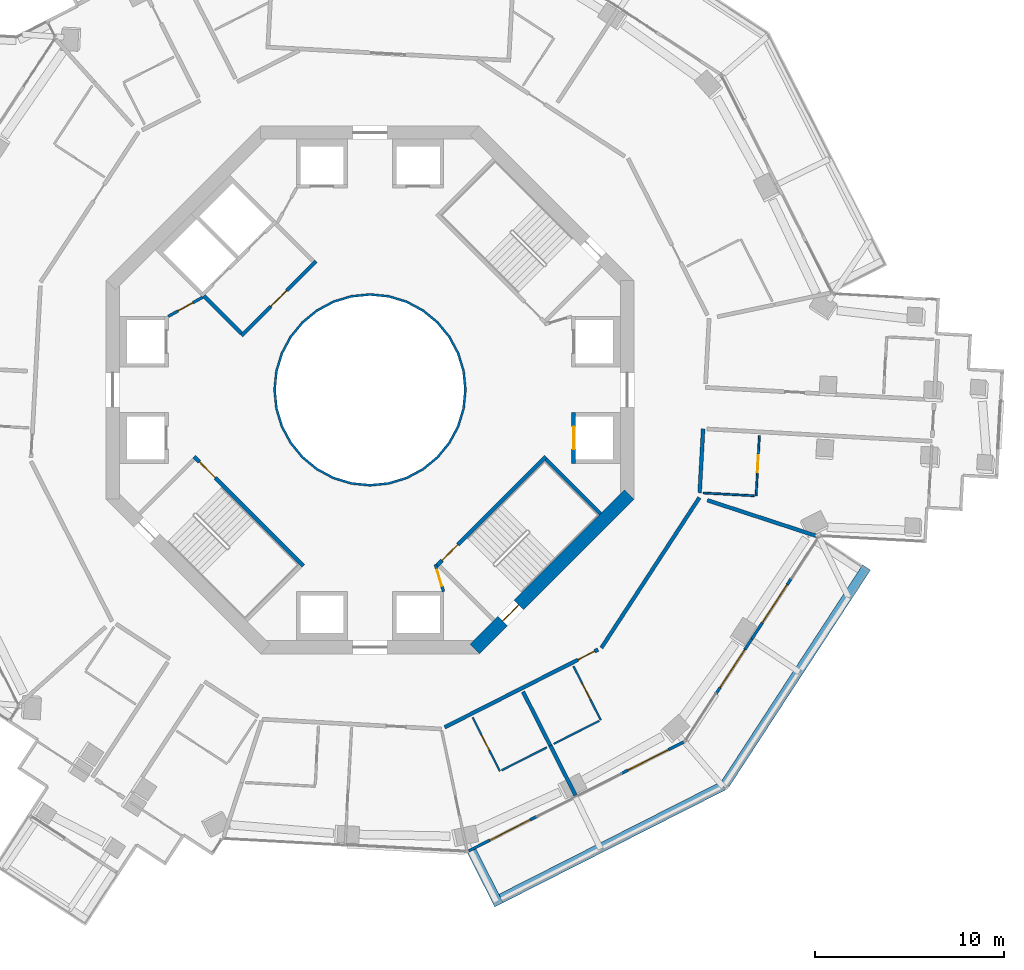
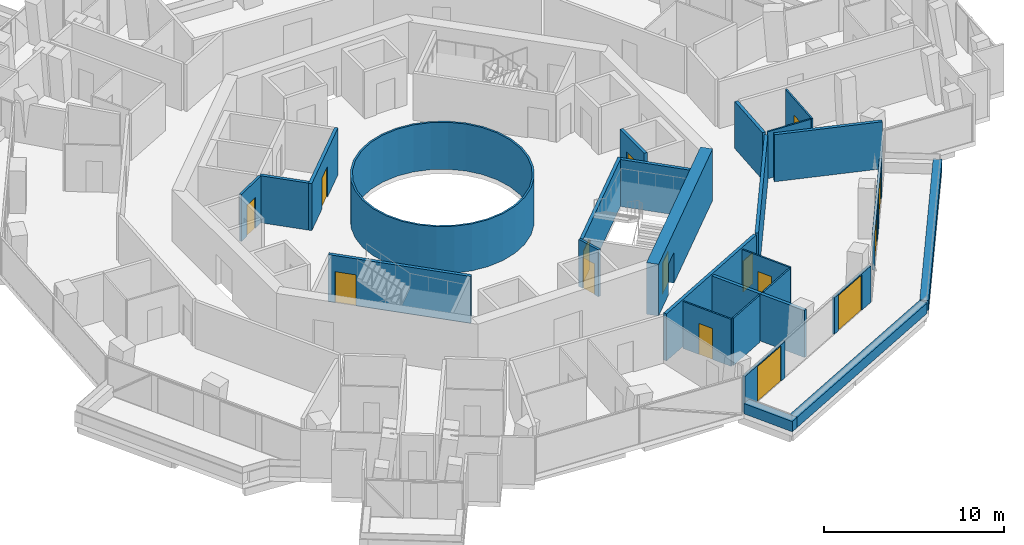
# One storey, part 17 of 23: 29 walls, 15 doors, 15 openings.
"""IFC4 building model written with IfcOpenShell, lengths in metres."""

from ifc_helpers import new_model, si_unit, direction, frame, frame_2d, origin, place, context, subcontext, project, spatial, polyline, rectangle, outline, extrude, material, layer, layer_set, type_object, element, fill, save


model = new_model("IFC4")

# Units and contexts
model_context = context("Model", 3, precision=1e-05, world=origin(), true_north=direction((0.0, 1.0)))
body_context = subcontext(model_context, "Body", "Model", "MODEL_VIEW")
ifc_project = project(units=[si_unit("LENGTHUNIT", "METRE"), si_unit("AREAUNIT", "SQUARE_METRE"), si_unit("VOLUMEUNIT", "CUBIC_METRE"), si_unit("PLANEANGLEUNIT", "RADIAN"), si_unit("MASSUNIT", "GRAM", prefix="KILO")], contexts=[model_context])

# Site, building, storey
site_placement = place(None, origin())
site = spatial("IfcSite", under=ifc_project, at=site_placement, CompositionType="ELEMENT")
building_placement = place(site_placement, origin())
building = spatial("IfcBuilding", under=site, at=building_placement, Name="Verdalira Terraces Hotel", CompositionType="ELEMENT")
storey_placement = place(building_placement, frame((0.0, 0.0, 143.5)))
storey = spatial("IfcBuildingStorey", under=building, at=storey_placement, Name="L34", CompositionType="ELEMENT", Elevation=143.5)

# Walls
ifc_material_1 = material(Name="Fire-resisting glass EI 180", Category="glass")
ifc_layer_1 = layer(ifc_material_1, 0.1201171875)
ifc_layer_set_1 = layer_set([ifc_layer_1], Name="Atrium fire screen 120 mm")
wall_type_1 = type_object("IfcWallType", Name="Atrium fire screen 120 mm", PredefinedType="SOLIDWALL", material=ifc_layer_set_1)
wall_1_placement = place(storey_placement, origin())
element("IfcWall", 1, at=wall_1_placement, inside=storey, type_object=wall_type_1, Name="Atrium fire screen", PredefinedType="SOLIDWALL", context=body_context, shape_type="SweptSolid", body=[
    extrude(outline(polyline([(5.021484, -0.998779), (4.730225, -1.959229), (4.25708, -2.844482), (3.620361, -3.620361), (2.844482, -4.25708), (1.959229, -4.730225), (0.998779, -5.021484), (0.0, -5.120117), (-0.998779, -5.021484), (-1.959229, -4.730225), (-2.844482, -4.25708), (-3.620361, -3.620361), (-4.25708, -2.844482), (-4.730225, -1.959229), (-5.021484, -0.998779), (-5.120117, 0.0), (-5.021484, 0.998779), (-4.730225, 1.959229), (-4.25708, 2.844482), (-3.620361, 3.620361), (-2.844482, 4.25708), (-1.959229, 4.730225), (-0.998779, 5.021484), (0.0, 5.120117), (0.998779, 5.021484), (1.959229, 4.730225), (2.844482, 4.25708), (3.620361, 3.620361), (4.25708, 2.844482), (4.730225, 1.959229), (5.021484, 0.998779), (5.120117, 0.0), (5.021484, -0.998779)]), holes=[polyline([(4.903809, 0.975586), (4.619385, 1.91333), (4.157227, 2.777832), (3.5354, 3.5354), (2.777832, 4.157227), (1.91333, 4.619385), (0.975586, 4.903809), (0.0, 5.0), (-0.975586, 4.903809), (-1.91333, 4.619385), (-2.777832, 4.157227), (-3.5354, 3.5354), (-4.157227, 2.777832), (-4.619385, 1.91333), (-4.903809, 0.975586), (-5.0, 0.0), (-4.903809, -0.975586), (-4.619385, -1.91333), (-4.157227, -2.777832), (-3.5354, -3.5354), (-2.777832, -4.157227), (-1.91333, -4.619385), (-0.975586, -4.903809), (0.0, -5.0), (0.975586, -4.903809), (1.91333, -4.619385), (2.777832, -4.157227), (3.5354, -3.5354), (4.157227, -2.777832), (4.619385, -1.91333), (4.903809, -0.975586), (5.0, 0.0), (4.903809, 0.975586)])]), origin(), (0.0, 0.0, 1.0), 3.189941),
])
ifc_material_2 = material(Name="Concrete C40", Category="concrete")
ifc_layer_2 = layer(ifc_material_2, 0.5)
ifc_layer_set_2 = layer_set([ifc_layer_2], Name="Balcony planter trough with tree")
wall_type_2 = type_object("IfcWallType", Name="Balcony planter trough with tree", PredefinedType="SOLIDWALL", material=ifc_layer_set_2)
wall_2_placement = place(storey_placement, frame((5.393555, -24.464111, 0.0), z_axis=(0.0, 0.0, 1.0), x_axis=(0.452121875, -0.89195617, 0.0)))
element("IfcWall", 2, at=wall_2_placement, inside=storey, type_object=wall_type_2, Name="Balcony planter", PredefinedType="SOLIDWALL", context=body_context, shape_type="SweptSolid", body=[
    extrude(rectangle(XDim=3.198975, YDim=0.5, at=frame_2d((1.599609, 0.0))), origin(), (0.0, 0.0, 1.0), 0.699951),
])
wall_3_placement = place(storey_placement, frame((6.949707, -26.981445, 0.0), z_axis=(0.0, 0.0, 1.0), x_axis=(0.891954479, 0.452125212, 0.0)))
element("IfcWall", 3, at=wall_3_placement, inside=storey, type_object=wall_type_2, Name="Balcony planter", PredefinedType="SOLIDWALL", context=body_context, shape_type="SweptSolid", body=[
    extrude(rectangle(XDim=13.223633, YDim=0.5, at=frame_2d((6.611816, 0.0))), origin(), (0.0, 0.0, 1.0), 0.699951),
])
wall_4_placement = place(storey_placement, frame((18.84082, -20.91626, 0.0), z_axis=(0.0, 0.0, 1.0), x_axis=(0.546404526, 0.837521399, 0.0)))
element("IfcWall", 4, at=wall_4_placement, inside=storey, type_object=wall_type_2, Name="Balcony planter", PredefinedType="SOLIDWALL", context=body_context, shape_type="SweptSolid", body=[
    extrude(rectangle(XDim=13.723389, YDim=0.5, at=frame_2d((6.861816, 0.0))), origin(), (0.0, 0.0, 1.0), 0.699951),
])

# Wall, opening, door
ifc_material_3 = material(Name="Moisture-resistant gypsum board partition")
ifc_layer_3 = layer(ifc_material_3, 0.10009765625)
ifc_layer_set_3 = layer_set([ifc_layer_3], Name="Bathroom partition 100 mm")
wall_type_3 = type_object("IfcWallType", Name="Bathroom partition 100 mm", PredefinedType="PARTITIONING", material=ifc_layer_set_3)
wall_5_placement = place(storey_placement, frame((5.443604, -17.374512, 0.0), z_axis=(0.0, 0.0, 1.0), x_axis=(0.452120203, -0.891957018, 0.0)))
wall_5 = element("IfcWall", 5, at=wall_5_placement, inside=storey, type_object=wall_type_3, Name="Bathroom partition", PredefinedType="PARTITIONING", context=body_context, shape_type="SweptSolid", body=[
    extrude(rectangle(XDim=3.199951, YDim=0.100098, at=frame_2d((1.600098, 0.0))), origin(), (0.0, 0.0, 1.0), 3.189941),
])
opening_1_placement = place(wall_5_placement, frame((1.050049, 0.0, 0.0)))
opening_1 = element("IfcOpeningElement", 6, at=opening_1_placement, cuts=wall_5, Name="Opening L34-119", PredefinedType="OPENING", context=body_context, shape_type="SweptSolid", body=[
    extrude(rectangle(XDim=0.899902, YDim=2.100098, at=frame_2d((0.449951, 1.050049))), frame((0.0, 0.060059, 0.0), z_axis=(0.0, -1.0, 0.0), x_axis=(1.0, 0.0, 0.0)), (0.0, 0.0, 1.0), 0.120117),
])
ifc_material_4 = material(Name="Timber door", Category="wood")
door_type_1 = type_object("IfcDoorType", Name="Bathroom door 900 x 2100", OperationType="NOTDEFINED", PredefinedType="DOOR", material=ifc_material_4)
door_1_placement = place(opening_1_placement, origin())
door_1 = element("IfcDoor", 7, at=door_1_placement, inside=storey, type_object=door_type_1, Name="Bathroom door 3406", OperationType="SINGLE_SWING_RIGHT", OverallHeight=2.10009765625, OverallWidth=0.89990234375, PredefinedType="DOOR", context=body_context, shape_type="SweptSolid", body=[
    extrude(rectangle(XDim=0.899902, YDim=2.100098, at=frame_2d((0.449951, 1.050049))), frame((0.0, 0.024902, 0.0), z_axis=(0.0, -1.0, 0.0), x_axis=(1.0, 0.0, 0.0)), (0.0, 0.0, 1.0), 0.050049),
])
fill(opening_1, door_1)

# Walls
for number, where, z_axis, x_axis, name in (
    (8, (6.979492, -20.18335, 0.0), (0.0, 0.0, 1.0), (0.891954099, 0.452125962, 0.0), "Bathroom partition"),
    (9, (12.152832, -17.561035, 0.0), (0.0, 0.0, 1.0), (-0.891917631, -0.452197899, 0.0), "Bathroom partition"),
):
    element("IfcWall", number, at=place(storey_placement, frame(where, z_axis=z_axis, x_axis=x_axis)), inside=storey, type_object=wall_type_3, Name=name, PredefinedType="PARTITIONING", context=body_context, shape_type="SweptSolid", body=[
        extrude(rectangle(XDim=2.699951, YDim=0.100098, at=frame_2d((1.350098, 0.0))), origin(), (0.0, 0.0, 1.0), 3.189941),
    ])

# Wall, opening, door
wall_6_placement = place(storey_placement, frame((12.241943, -17.515869, 0.0), z_axis=(0.0, 0.0, 1.0), x_axis=(-0.452120203, 0.891957018, 0.0)))
wall_6 = element("IfcWall", 10, at=wall_6_placement, inside=storey, type_object=wall_type_3, Name="Bathroom partition", PredefinedType="PARTITIONING", context=body_context, shape_type="SweptSolid", body=[
    extrude(rectangle(XDim=3.199951, YDim=0.100098, at=frame_2d((1.600098, 0.0))), origin(), (0.0, 0.0, 1.0), 3.189941),
])
opening_2_placement = place(wall_6_placement, frame((1.25, 0.0, 0.0)))
opening_2 = element("IfcOpeningElement", 11, at=opening_2_placement, cuts=wall_6, Name="Opening L34-121", PredefinedType="OPENING", context=body_context, shape_type="SweptSolid", body=[
    extrude(rectangle(XDim=0.899902, YDim=2.100098, at=frame_2d((0.449951, 1.050049))), frame((0.0, 0.060059, 0.0), z_axis=(0.0, -1.0, 0.0), x_axis=(1.0, 0.0, 0.0)), (0.0, 0.0, 1.0), 0.120117),
])
door_2_placement = place(opening_2_placement, origin())
door_2 = element("IfcDoor", 12, at=door_2_placement, inside=storey, type_object=door_type_1, Name="Bathroom door 3407", OperationType="SINGLE_SWING_LEFT", OverallHeight=2.10009765625, OverallWidth=0.89990234375, PredefinedType="DOOR", context=body_context, shape_type="SweptSolid", body=[
    extrude(rectangle(XDim=0.899902, YDim=2.100098, at=frame_2d((0.449951, 1.050049))), frame((0.0, 0.024902, 0.0), z_axis=(0.0, -1.0, 0.0), x_axis=(1.0, 0.0, 0.0)), (0.0, 0.0, 1.0), 0.050049),
])
fill(opening_2, door_2)

# Wall
wall_7_placement = place(storey_placement, frame((17.686768, -5.470703, 0.0), z_axis=(0.0, 0.0, 1.0), x_axis=(0.998517406, -0.054433349, 0.0)))
element("IfcWall", 13, at=wall_7_placement, inside=storey, type_object=wall_type_3, Name="Bathroom partition", PredefinedType="PARTITIONING", context=body_context, shape_type="SweptSolid", body=[
    extrude(rectangle(XDim=2.699951, YDim=0.100098, at=frame_2d((1.350098, 0.0))), origin(), (0.0, 0.0, 1.0), 3.189941),
])

# Wall, opening, door
wall_8_placement = place(storey_placement, frame((20.482666, -5.623291, 0.0), z_axis=(0.0, 0.0, 1.0), x_axis=(0.054396725, 0.998519402, 0.0)))
wall_8 = element("IfcWall", 14, at=wall_8_placement, inside=storey, type_object=wall_type_3, Name="Bathroom partition", PredefinedType="PARTITIONING", context=body_context, shape_type="SweptSolid", body=[
    extrude(rectangle(XDim=3.199951, YDim=0.100098, at=frame_2d((1.600098, 0.0))), origin(), (0.0, 0.0, 1.0), 3.189941),
])
opening_3_placement = place(wall_8_placement, frame((1.25, 0.0, 0.0)))
opening_3 = element("IfcOpeningElement", 15, at=opening_3_placement, cuts=wall_8, Name="Opening L34-124", PredefinedType="OPENING", context=body_context, shape_type="SweptSolid", body=[
    extrude(rectangle(XDim=0.899902, YDim=2.100098, at=frame_2d((0.449951, 1.050049))), frame((0.0, 0.060059, 0.0), z_axis=(0.0, -1.0, 0.0), x_axis=(1.0, 0.0, 0.0)), (0.0, 0.0, 1.0), 0.120117),
])
door_3_placement = place(opening_3_placement, origin())
door_3 = element("IfcDoor", 16, at=door_3_placement, inside=storey, type_object=door_type_1, Name="Bathroom door 3408", OperationType="SINGLE_SWING_LEFT", OverallHeight=2.10009765625, OverallWidth=0.89990234375, PredefinedType="DOOR", context=body_context, shape_type="SweptSolid", body=[
    extrude(rectangle(XDim=0.899902, YDim=2.100098, at=frame_2d((0.449951, 1.050049))), frame((0.0, 0.024902, 0.0), z_axis=(0.0, -1.0, 0.0), x_axis=(1.0, 0.0, 0.0)), (0.0, 0.0, 1.0), 0.050049),
])
fill(opening_3, door_3)

ifc_material_5 = material(Name="Concrete C50", Category="concrete")
ifc_layer_4 = layer(ifc_material_5, 0.199951171875)
ifc_layer_set_4 = layer_set([ifc_layer_4], Name="Core RC wall 200 C50")
wall_type_4 = type_object("IfcWallType", Name="Core RC wall 200 C50", PredefinedType="SOLIDWALL", material=ifc_layer_set_4)
wall_9_placement = place(storey_placement, frame((10.800049, -1.199951, 0.0), z_axis=(0.0, 0.0, 1.0), x_axis=(0.0, -1.0, 0.0)))
wall_9 = element("IfcWall", 17, at=wall_9_placement, inside=storey, type_object=wall_type_4, Name="L34 shaft front wall E1", PredefinedType="SOLIDWALL", context=body_context, shape_type="SweptSolid", body=[
    extrude(rectangle(XDim=2.699951, YDim=0.199951, at=frame_2d((1.350098, 0.0))), origin(), (0.0, 0.0, 1.0), 3.189941),
])
opening_4_placement = place(wall_9_placement, frame((0.75, 0.0, 0.0)))
opening_4 = element("IfcOpeningElement", 18, at=opening_4_placement, cuts=wall_9, Name="Opening LD-L34-801", PredefinedType="OPENING", context=body_context, shape_type="SweptSolid", body=[
    extrude(rectangle(XDim=1.199951, YDim=2.100098, at=frame_2d((0.600098, 1.050049))), frame((0.0, 0.109863, 0.0), z_axis=(0.0, -1.0, 0.0), x_axis=(1.0, 0.0, 0.0)), (0.0, 0.0, 1.0), 0.219971),
])
ifc_material_6 = material(Name="Stainless steel", Category="steel")
door_type_2 = type_object("IfcDoorType", Name="Landing door 1200 x 2100", OperationType="NOTDEFINED", PredefinedType="DOOR", material=ifc_material_6)
door_4_placement = place(opening_4_placement, origin())
door_4 = element("IfcDoor", 19, at=door_4_placement, inside=storey, type_object=door_type_2, Name="Lift landing door LR1 L34", OperationType="DOUBLE_DOOR_SLIDING", OverallHeight=2.10009765625, OverallWidth=1.199951171875, PredefinedType="DOOR", context=body_context, shape_type="SweptSolid", body=[
    extrude(rectangle(XDim=1.199951, YDim=2.100098, at=frame_2d((0.600098, 1.050049))), frame((0.0, 0.024902, 0.0), z_axis=(0.0, -1.0, 0.0), x_axis=(1.0, 0.0, 0.0)), (0.0, 0.0, 1.0), 0.050049),
])
fill(opening_4, door_4)

wall_10_placement = place(storey_placement, frame((-3.5354, -9.33374, 0.0), z_axis=(0.0, 0.0, 1.0), x_axis=(-0.707106781, 0.707106781, 0.0)))
wall_10 = element("IfcWall", 20, at=wall_10_placement, inside=storey, type_object=wall_type_4, Name="L34 stair ST2 front wall", PredefinedType="SOLIDWALL", context=body_context, shape_type="SweptSolid", body=[
    extrude(rectangle(XDim=8.200195, YDim=0.199951, at=frame_2d((4.100098, 0.0))), origin(), (0.0, 0.0, 1.0), 3.189941),
])
opening_5_placement = place(wall_10_placement, frame((6.600098, 0.0, 0.0)))
opening_5 = element("IfcOpeningElement", 21, at=opening_5_placement, cuts=wall_10, Name="Opening L34-810", PredefinedType="OPENING", context=body_context, shape_type="SweptSolid", body=[
    extrude(rectangle(XDim=1.199951, YDim=2.100098, at=frame_2d((0.600098, 1.050049))), frame((0.0, 0.109863, 0.0), z_axis=(0.0, -1.0, 0.0), x_axis=(1.0, 0.0, 0.0)), (0.0, 0.0, 1.0), 0.219971),
])
ifc_material_7 = material(Name="Steel fire door", Category="steel")
door_type_3 = type_object("IfcDoorType", Name="Stair door 1200 x 2100", OperationType="NOTDEFINED", PredefinedType="DOOR", material=ifc_material_7)
door_5_placement = place(opening_5_placement, origin())
door_5 = element("IfcDoor", 22, at=door_5_placement, inside=storey, type_object=door_type_3, Name="Stair door ST2 L34", OperationType="SINGLE_SWING_RIGHT", OverallHeight=2.10009765625, OverallWidth=1.199951171875, PredefinedType="DOOR", context=body_context, shape_type="SweptSolid", body=[
    extrude(rectangle(XDim=1.199951, YDim=2.100098, at=frame_2d((0.600098, 1.050049))), frame((0.0, 0.024902, 0.0), z_axis=(0.0, -1.0, 0.0), x_axis=(1.0, 0.0, 0.0)), (0.0, 0.0, 1.0), 0.050049),
])
fill(opening_5, door_5)

wall_11_placement = place(storey_placement, frame((9.33374, -3.5354, 0.0), z_axis=(0.0, 0.0, 1.0), x_axis=(-0.707106781, -0.707106781, 0.0)))
wall_11 = element("IfcWall", 23, at=wall_11_placement, inside=storey, type_object=wall_type_4, Name="L34 stair ST3 front wall", PredefinedType="SOLIDWALL", context=body_context, shape_type="SweptSolid", body=[
    extrude(rectangle(XDim=8.200195, YDim=0.199951, at=frame_2d((4.100098, 0.0))), origin(), (0.0, 0.0, 1.0), 3.189941),
])
opening_6_placement = place(wall_11_placement, frame((6.600098, 0.0, 0.0)))
opening_6 = element("IfcOpeningElement", 24, at=opening_6_placement, cuts=wall_11, Name="Opening L34-811", PredefinedType="OPENING", context=body_context, shape_type="SweptSolid", body=[
    extrude(rectangle(XDim=1.199951, YDim=2.100098, at=frame_2d((0.600098, 1.050049))), frame((0.0, 0.109863, 0.0), z_axis=(0.0, -1.0, 0.0), x_axis=(1.0, 0.0, 0.0)), (0.0, 0.0, 1.0), 0.219971),
])
door_6_placement = place(opening_6_placement, origin())
door_6 = element("IfcDoor", 25, at=door_6_placement, inside=storey, type_object=door_type_3, Name="Stair door ST3 L34", OperationType="SINGLE_SWING_RIGHT", OverallHeight=2.10009765625, OverallWidth=1.199951171875, PredefinedType="DOOR", context=body_context, shape_type="SweptSolid", body=[
    extrude(rectangle(XDim=1.199951, YDim=2.100098, at=frame_2d((0.600098, 1.050049))), frame((0.0, 0.024902, 0.0), z_axis=(0.0, -1.0, 0.0), x_axis=(1.0, 0.0, 0.0)), (0.0, 0.0, 1.0), 0.050049),
])
fill(opening_6, door_6)

# Wall
wall_12_placement = place(storey_placement, frame((9.33374, -3.677002, 0.0), z_axis=(0.0, 0.0, 1.0), x_axis=(0.707106781, -0.707106781, 0.0)))
element("IfcWall", 26, at=wall_12_placement, inside=storey, type_object=wall_type_4, Name="L34 stair ST3 end wall 2", PredefinedType="SOLIDWALL", context=body_context, shape_type="SweptSolid", body=[
    extrude(rectangle(XDim=4.100098, YDim=0.199951, at=frame_2d((2.050049, 0.0))), origin(), (0.0, 0.0, 1.0), 3.189941),
])

# Wall, opening, door
wall_13_placement = place(storey_placement, frame((-2.86377, 6.823486, 0.0), z_axis=(0.0, 0.0, 1.0), x_axis=(-0.707106781, -0.707106781, 0.0)))
wall_13 = element("IfcWall", 27, at=wall_13_placement, inside=storey, type_object=wall_type_4, Name="L34 fire lobby wall", PredefinedType="SOLIDWALL", context=body_context, shape_type="SweptSolid", body=[
    extrude(rectangle(XDim=5.599854, YDim=0.199951, at=frame_2d((2.799805, 0.0))), origin(), (0.0, 0.0, 1.0), 3.189941),
])
opening_7_placement = place(wall_13_placement, frame((2.199951, 0.0, 0.0)))
opening_7 = element("IfcOpeningElement", 28, at=opening_7_placement, cuts=wall_13, Name="Opening L34-819", PredefinedType="OPENING", context=body_context, shape_type="SweptSolid", body=[
    extrude(rectangle(XDim=1.199951, YDim=2.100098, at=frame_2d((0.600098, 1.050049))), frame((0.0, 0.109863, 0.0), z_axis=(0.0, -1.0, 0.0), x_axis=(1.0, 0.0, 0.0)), (0.0, 0.0, 1.0), 0.219971),
])
ifc_material_8 = material(Name="Steel fire door", Category="steel")
door_type_4 = type_object("IfcDoorType", Name="Lobby door 1200 x 2100", OperationType="NOTDEFINED", PredefinedType="DOOR", material=ifc_material_8)
door_7_placement = place(opening_7_placement, origin())
door_7 = element("IfcDoor", 29, at=door_7_placement, inside=storey, type_object=door_type_4, Name="Fire lobby door L34", OperationType="SINGLE_SWING_LEFT", OverallHeight=2.10009765625, OverallWidth=1.199951171875, PredefinedType="DOOR", context=body_context, shape_type="SweptSolid", body=[
    extrude(rectangle(XDim=1.199951, YDim=2.100098, at=frame_2d((0.600098, 1.050049))), frame((0.0, 0.024902, 0.0), z_axis=(0.0, -1.0, 0.0), x_axis=(1.0, 0.0, 0.0)), (0.0, 0.0, 1.0), 0.050049),
])
fill(opening_7, door_7)

# Wall
wall_14_placement = place(storey_placement, frame((-6.823486, 3.005127, 0.0), z_axis=(0.0, 0.0, 1.0), x_axis=(-0.707106781, 0.707106781, 0.0)))
element("IfcWall", 30, at=wall_14_placement, inside=storey, type_object=wall_type_4, Name="L34 fire lobby wall", PredefinedType="SOLIDWALL", context=body_context, shape_type="SweptSolid", body=[
    extrude(rectangle(XDim=2.800049, YDim=0.199951, at=frame_2d((1.399902, 0.0))), origin(), (0.0, 0.0, 1.0), 3.189941),
])

# Wall, opening, door
ifc_material_9 = material(Name="Gypsum board partition")
ifc_layer_5 = layer(ifc_material_9, 0.14990234375)
ifc_layer_set_5 = layer_set([ifc_layer_5], Name="Core partition 150 mm")
wall_type_5 = type_object("IfcWallType", Name="Core partition 150 mm", PredefinedType="PARTITIONING", material=ifc_layer_set_5)
wall_15_placement = place(storey_placement, frame((-8.874268, 4.914307, 0.0), z_axis=(0.0, 0.0, 1.0), x_axis=(-0.874129705, -0.485692555, 0.0)))
wall_15 = element("IfcWall", 31, at=wall_15_placement, inside=storey, type_object=wall_type_5, Name="Room partition L34", PredefinedType="PARTITIONING", context=body_context, shape_type="SweptSolid", body=[
    extrude(rectangle(XDim=2.088623, YDim=0.149902, at=frame_2d((1.044434, 0.0))), origin(), (0.0, 0.0, 1.0), 3.189941),
])
opening_8_placement = place(wall_15_placement, frame((0.594238, 0.0, 0.0)))
opening_8 = element("IfcOpeningElement", 32, at=opening_8_placement, cuts=wall_15, Name="Opening L34-822", PredefinedType="OPENING", context=body_context, shape_type="SweptSolid", body=[
    extrude(rectangle(XDim=0.899902, YDim=2.100098, at=frame_2d((0.449951, 1.050049))), frame((0.0, 0.084961, 0.0), z_axis=(0.0, -1.0, 0.0), x_axis=(1.0, 0.0, 0.0)), (0.0, 0.0, 1.0), 0.169922),
])
ifc_material_10 = material(Name="Steel fire door", Category="steel")
door_type_5 = type_object("IfcDoorType", Name="Core room door 900 x 2100", OperationType="NOTDEFINED", PredefinedType="DOOR", material=ifc_material_10)
door_8_placement = place(opening_8_placement, origin())
door_8 = element("IfcDoor", 33, at=door_8_placement, inside=storey, type_object=door_type_5, Name="Door L34 room3", OperationType="SINGLE_SWING_LEFT", OverallHeight=2.10009765625, OverallWidth=0.89990234375, PredefinedType="DOOR", context=body_context, shape_type="SweptSolid", body=[
    extrude(rectangle(XDim=0.899902, YDim=2.100098, at=frame_2d((0.449951, 1.050049))), frame((0.0, 0.024902, 0.0), z_axis=(0.0, -1.0, 0.0), x_axis=(1.0, 0.0, 0.0)), (0.0, 0.0, 1.0), 0.050049),
])
fill(opening_8, door_8)

wall_16_placement = place(storey_placement, frame((3.899902, -10.699951, 0.0), z_axis=(0.0, 0.0, 1.0), x_axis=(-0.289808785, 0.957084567, 0.0)))
wall_16 = element("IfcWall", 34, at=wall_16_placement, inside=storey, type_object=wall_type_5, Name="Room partition L34", PredefinedType="PARTITIONING", context=body_context, shape_type="SweptSolid", body=[
    extrude(rectangle(XDim=1.501221, YDim=0.149902, at=frame_2d((0.750488, 0.0))), origin(), (0.0, 0.0, 1.0), 3.189941),
])
opening_9_placement = place(wall_16_placement, frame((0.300781, 0.0, 0.0)))
opening_9 = element("IfcOpeningElement", 35, at=opening_9_placement, cuts=wall_16, Name="Opening L34-823", PredefinedType="OPENING", context=body_context, shape_type="SweptSolid", body=[
    extrude(rectangle(XDim=0.899902, YDim=2.100098, at=frame_2d((0.449951, 1.050049))), frame((0.0, 0.084961, 0.0), z_axis=(0.0, -1.0, 0.0), x_axis=(1.0, 0.0, 0.0)), (0.0, 0.0, 1.0), 0.169922),
])
door_9_placement = place(opening_9_placement, origin())
door_9 = element("IfcDoor", 36, at=door_9_placement, inside=storey, type_object=door_type_5, Name="Door L34 room6", OperationType="SINGLE_SWING_LEFT", OverallHeight=2.10009765625, OverallWidth=0.89990234375, PredefinedType="DOOR", context=body_context, shape_type="SweptSolid", body=[
    extrude(rectangle(XDim=0.899902, YDim=2.100098, at=frame_2d((0.449951, 1.050049))), frame((0.0, 0.024902, 0.0), z_axis=(0.0, -1.0, 0.0), x_axis=(1.0, 0.0, 0.0)), (0.0, 0.0, 1.0), 0.050049),
])
fill(opening_9, door_9)

ifc_material_11 = material(Name="Concrete C60", Category="concrete")
ifc_layer_6 = layer(ifc_material_11, 0.699951171875)
ifc_layer_set_6 = layer_set([ifc_layer_6], Name="Core wall 700 C60")
wall_type_6 = type_object("IfcWallType", Name="Core wall 700 C60", PredefinedType="SHEAR", material=ifc_layer_set_6)
wall_17_placement = place(storey_placement, frame((5.551514, -13.752441, 0.0), z_axis=(0.0, 0.0, 1.0), x_axis=(0.707106781, 0.707106781, 0.0)))
wall_17 = element("IfcWall", 37, at=wall_17_placement, inside=storey, type_object=wall_type_6, Name="Core wall CW-L34-8", PredefinedType="SHEAR", context=body_context, shape_type="SweptSolid", body=[
    extrude(rectangle(XDim=11.5979, YDim=0.699951, at=frame_2d((5.798828, 0.0))), origin(), (0.0, 0.0, 1.0), 3.5),
])
opening_10_placement = place(wall_17_placement, frame((2.099121, 0.0, 0.0)))
opening_10 = element("IfcOpeningElement", 38, at=opening_10_placement, cuts=wall_17, Name="Opening L34-818", PredefinedType="OPENING", context=body_context, shape_type="SweptSolid", body=[
    extrude(rectangle(XDim=1.199951, YDim=2.100098, at=frame_2d((0.600098, 1.050049))), frame((0.0, 0.359863, 0.0), z_axis=(0.0, -1.0, 0.0), x_axis=(1.0, 0.0, 0.0)), (0.0, 0.0, 1.0), 0.719971),
])
door_10_placement = place(opening_10_placement, origin())
door_10 = element("IfcDoor", 39, at=door_10_placement, inside=storey, type_object=door_type_3, Name="Stair exit door ST3 L34", OperationType="SINGLE_SWING_LEFT", OverallHeight=2.10009765625, OverallWidth=1.199951171875, PredefinedType="DOOR", context=body_context, shape_type="SweptSolid", body=[
    extrude(rectangle(XDim=1.199951, YDim=2.100098, at=frame_2d((0.600098, 1.050049))), frame((0.0, 0.024902, 0.0), z_axis=(0.0, -1.0, 0.0), x_axis=(1.0, 0.0, 0.0)), (0.0, 0.0, 1.0), 0.050049),
])
fill(opening_10, door_10)

# Walls
ifc_material_12 = material(Name="Fire-rated gypsum board wall")
ifc_layer_7 = layer(ifc_material_12, 0.199951171875)
ifc_layer_set_7 = layer_set([ifc_layer_7], Name="Demising wall 200 mm")
wall_type_7 = type_object("IfcWallType", Name="Demising wall 200 mm", PredefinedType="SOLIDWALL", material=ifc_layer_set_7)
wall_18_placement = place(storey_placement, frame((8.119385, -16.018066, 0.0), z_axis=(0.0, 0.0, 1.0), x_axis=(0.452120203, -0.891957018, 0.0)))
element("IfcWall", 40, at=wall_18_placement, inside=storey, type_object=wall_type_7, Name="Demising wall", PredefinedType="SOLIDWALL", context=body_context, shape_type="SweptSolid", body=[
    extrude(rectangle(XDim=3.199951, YDim=0.199951, at=frame_2d((1.600098, 0.0))), origin(), (0.0, 0.0, 1.0), 3.189941),
])
wall_19_placement = place(storey_placement, frame((9.566162, -18.872314, 0.0), z_axis=(0.0, 0.0, 1.0), x_axis=(0.452106151, -0.89196414, 0.0)))
element("IfcWall", 41, at=wall_19_placement, inside=storey, type_object=wall_type_7, Name="Demising wall", PredefinedType="SOLIDWALL", context=body_context, shape_type="SweptSolid", body=[
    extrude(rectangle(XDim=2.949951, YDim=0.199951, at=frame_2d((1.475098, 0.0))), origin(), (0.0, 0.0, 1.0), 3.189941),
])
wall_20_placement = place(storey_placement, frame((17.898193, -5.856934, 0.0), z_axis=(0.0, 0.0, 1.0), x_axis=(0.950412749, -0.310991328, 0.0)))
element("IfcWall", 42, at=wall_20_placement, inside=storey, type_object=wall_type_7, Name="Demising wall", PredefinedType="SOLIDWALL", context=body_context, shape_type="SweptSolid", body=[
    extrude(rectangle(XDim=6.131836, YDim=0.199951, at=frame_2d((3.065918, 0.0))), origin(), (0.0, 0.0, 1.0), 3.189941),
])

# Wall, opening, door
ifc_material_13 = material(Name="Fire-rated gypsum board wall")
ifc_layer_8 = layer(ifc_material_13, 0.199951171875)
ifc_layer_set_8 = layer_set([ifc_layer_8], Name="Guest corridor wall 200 mm")
wall_type_8 = type_object("IfcWallType", Name="Guest corridor wall 200 mm", PredefinedType="SOLIDWALL", material=ifc_layer_set_8)
wall_21_placement = place(storey_placement, frame((12.094238, -13.779053, 0.0), z_axis=(0.0, 0.0, 1.0), x_axis=(-0.891955141, -0.452123906, 0.0)))
wall_21 = element("IfcWall", 43, at=wall_21_placement, inside=storey, type_object=wall_type_8, Name="Guest corridor wall", PredefinedType="SOLIDWALL", context=body_context, shape_type="SweptSolid", body=[
    extrude(rectangle(XDim=9.115967, YDim=0.199951, at=frame_2d((4.558105, 0.0))), origin(), (0.0, 0.0, 1.0), 3.189941),
])
opening_11_placement = place(wall_21_placement, frame((0.199951, 0.0, 0.0)))
opening_11 = element("IfcOpeningElement", 44, at=opening_11_placement, cuts=wall_21, Name="Opening L34-120", PredefinedType="OPENING", context=body_context, shape_type="SweptSolid", body=[
    extrude(rectangle(XDim=1.0, YDim=2.100098, at=frame_2d((0.5, 1.050049))), frame((0.0, 0.109863, 0.0), z_axis=(0.0, -1.0, 0.0), x_axis=(1.0, 0.0, 0.0)), (0.0, 0.0, 1.0), 0.219971),
])
ifc_material_14 = material(Name="Timber fire door", Category="wood")
door_type_6 = type_object("IfcDoorType", Name="Guest entry door 1000 x 2100", OperationType="NOTDEFINED", PredefinedType="DOOR", material=ifc_material_14)
door_11_placement = place(opening_11_placement, origin())
door_11 = element("IfcDoor", 45, at=door_11_placement, inside=storey, type_object=door_type_6, Name="Guest entry door 3407", OperationType="SINGLE_SWING_LEFT", OverallHeight=2.10009765625, OverallWidth=1.0, PredefinedType="DOOR", context=body_context, shape_type="SweptSolid", body=[
    extrude(rectangle(XDim=1.0, YDim=2.100098, at=frame_2d((0.5, 1.050049))), frame((0.0, 0.024902, 0.0), z_axis=(0.0, -1.0, 0.0), x_axis=(1.0, 0.0, 0.0)), (0.0, 0.0, 1.0), 0.050049),
])
fill(opening_11, door_11)

# Walls
wall_22_placement = place(storey_placement, frame((12.273438, -13.687744, 0.0), z_axis=(0.0, 0.0, 1.0), x_axis=(0.546401601, 0.837523307, 0.0)))
element("IfcWall", 46, at=wall_22_placement, inside=storey, type_object=wall_type_8, Name="Guest corridor wall", PredefinedType="SOLIDWALL", context=body_context, shape_type="SweptSolid", body=[
    extrude(rectangle(XDim=9.515869, YDim=0.199951, at=frame_2d((4.757812, 0.0))), origin(), (0.0, 0.0, 1.0), 3.189941),
])
wall_23_placement = place(storey_placement, frame((17.487061, -5.459961, 0.0), z_axis=(0.0, 0.0, 1.0), x_axis=(0.054428046, 0.998517695, 0.0)))
element("IfcWall", 47, at=wall_23_placement, inside=storey, type_object=wall_type_8, Name="Guest corridor wall", PredefinedType="SOLIDWALL", context=body_context, shape_type="SweptSolid", body=[
    extrude(rectangle(XDim=3.400146, YDim=0.199951, at=frame_2d((1.700195, 0.0))), origin(), (0.0, 0.0, 1.0), 3.189941),
])

# Wall, opening, door
ifc_material_15 = material(Name="Terracotta cladding", Category="masonry")
ifc_layer_9 = layer(ifc_material_15, 0.14990234375)
ifc_layer_set_9 = layer_set([ifc_layer_9], Name="Terracotta door pier 150")
wall_type_9 = type_object("IfcWallType", Name="Terracotta door pier 150", PredefinedType="SOLIDWALL", material=ifc_layer_set_9)
wall_24_placement = place(storey_placement, frame((5.225586, -24.463867, 0.0), z_axis=(0.0, 0.0, 1.0), x_axis=(0.891952842, 0.452128441, 0.0)))
wall_24 = element("IfcWall", 48, at=wall_24_placement, inside=storey, type_object=wall_type_9, Name="Terracotta door pier", PredefinedType="SOLIDWALL", context=body_context, shape_type="SweptSolid", body=[
    extrude(rectangle(XDim=4.067627, YDim=0.149902, at=frame_2d((2.033691, 0.0))), origin(), (0.0, 0.0, 1.0), 2.475098),
])
opening_12_placement = place(wall_24_placement, frame((1.267822, 0.0, 0.0)))
opening_12 = element("IfcOpeningElement", 49, at=opening_12_placement, cuts=wall_24, Name="Opening L34-B07", PredefinedType="OPENING", context=body_context, shape_type="SweptSolid", body=[
    extrude(rectangle(XDim=2.399902, YDim=2.399902, at=frame_2d((1.199951, 1.199951))), frame((0.0, 0.084961, 0.0), z_axis=(0.0, -1.0, 0.0), x_axis=(1.0, 0.0, 0.0)), (0.0, 0.0, 1.0), 0.169922),
])
ifc_material_16 = material(Name="Clear glass", Category="glass")
door_type_7 = type_object("IfcDoorType", Name="Balcony sliding door 2400x2400", OperationType="NOTDEFINED", PredefinedType="DOOR", material=ifc_material_16)
door_12_placement = place(opening_12_placement, origin())
door_12 = element("IfcDoor", 50, at=door_12_placement, inside=storey, type_object=door_type_7, Name="Balcony sliding door", OperationType="SLIDING_TO_LEFT", OverallHeight=2.39990234375, OverallWidth=2.39990234375, PredefinedType="DOOR", context=body_context, shape_type="SweptSolid", body=[
    extrude(rectangle(XDim=2.399902, YDim=2.399902, at=frame_2d((1.199951, 1.199951))), frame((0.0, 0.024902, 0.0), z_axis=(0.0, -1.0, 0.0), x_axis=(1.0, 0.0, 0.0)), (0.0, 0.0, 1.0), 0.050049),
])
fill(opening_12, door_12)

wall_25_placement = place(storey_placement, frame((13.333008, -20.354492, 0.0), z_axis=(0.0, 0.0, 1.0), x_axis=(0.891939183, 0.452155388, 0.0)))
wall_25 = element("IfcWall", 51, at=wall_25_placement, inside=storey, type_object=wall_type_9, Name="Terracotta door pier", PredefinedType="SOLIDWALL", context=body_context, shape_type="SweptSolid", body=[
    extrude(rectangle(XDim=3.709961, YDim=0.149902, at=frame_2d((1.85498, 0.0))), origin(), (0.0, 0.0, 1.0), 2.475098),
])
opening_13_placement = place(wall_25_placement, frame((0.399902, 0.0, 0.0)))
opening_13 = element("IfcOpeningElement", 52, at=opening_13_placement, cuts=wall_25, Name="Opening L34-B08", PredefinedType="OPENING", context=body_context, shape_type="SweptSolid", body=[
    extrude(rectangle(XDim=2.399902, YDim=2.399902, at=frame_2d((1.199951, 1.199951))), frame((0.0, 0.084961, 0.0), z_axis=(0.0, -1.0, 0.0), x_axis=(1.0, 0.0, 0.0)), (0.0, 0.0, 1.0), 0.169922),
])
door_13_placement = place(opening_13_placement, origin())
door_13 = element("IfcDoor", 53, at=door_13_placement, inside=storey, type_object=door_type_7, Name="Balcony sliding door", OperationType="SLIDING_TO_RIGHT", OverallHeight=2.39990234375, OverallWidth=2.39990234375, PredefinedType="DOOR", context=body_context, shape_type="SweptSolid", body=[
    extrude(rectangle(XDim=2.399902, YDim=2.399902, at=frame_2d((1.199951, 1.199951))), frame((0.0, 0.024902, 0.0), z_axis=(0.0, -1.0, 0.0), x_axis=(1.0, 0.0, 0.0)), (0.0, 0.0, 1.0), 0.050049),
])
fill(opening_13, door_13)

wall_26_placement = place(storey_placement, frame((18.355469, -16.124023, 0.0), z_axis=(0.0, 0.0, 1.0), x_axis=(0.546387789, 0.837532318, 0.0)))
wall_26 = element("IfcWall", 54, at=wall_26_placement, inside=storey, type_object=wall_type_9, Name="Terracotta door pier", PredefinedType="SOLIDWALL", context=body_context, shape_type="SweptSolid", body=[
    extrude(rectangle(XDim=3.474854, YDim=0.149902, at=frame_2d((1.737305, 0.0))), origin(), (0.0, 0.0, 1.0), 2.475098),
])
opening_14_placement = place(wall_26_placement, frame((0.399902, 0.0, 0.0)))
opening_14 = element("IfcOpeningElement", 55, at=opening_14_placement, cuts=wall_26, Name="Opening L34-B09", PredefinedType="OPENING", context=body_context, shape_type="SweptSolid", body=[
    extrude(rectangle(XDim=2.399902, YDim=2.399902, at=frame_2d((1.199951, 1.199951))), frame((0.0, 0.084961, 0.0), z_axis=(0.0, -1.0, 0.0), x_axis=(1.0, 0.0, 0.0)), (0.0, 0.0, 1.0), 0.169922),
])
door_14_placement = place(opening_14_placement, origin())
door_14 = element("IfcDoor", 56, at=door_14_placement, inside=storey, type_object=door_type_7, Name="Balcony sliding door", OperationType="SLIDING_TO_RIGHT", OverallHeight=2.39990234375, OverallWidth=2.39990234375, PredefinedType="DOOR", context=body_context, shape_type="SweptSolid", body=[
    extrude(rectangle(XDim=2.399902, YDim=2.399902, at=frame_2d((1.199951, 1.199951))), frame((0.0, 0.024902, 0.0), z_axis=(0.0, -1.0, 0.0), x_axis=(1.0, 0.0, 0.0)), (0.0, 0.0, 1.0), 0.050049),
])
fill(opening_14, door_14)

wall_27_placement = place(storey_placement, frame((20.25415, -13.213623, 0.0), z_axis=(0.0, 0.0, 1.0), x_axis=(0.546388156, 0.837532079, 0.0)))
wall_27 = element("IfcWall", 57, at=wall_27_placement, inside=storey, type_object=wall_type_9, Name="Terracotta door pier", PredefinedType="SOLIDWALL", context=body_context, shape_type="SweptSolid", body=[
    extrude(rectangle(XDim=3.835449, YDim=0.149902, at=frame_2d((1.917725, 0.0))), origin(), (0.0, 0.0, 1.0), 2.475098),
])
opening_15_placement = place(wall_27_placement, frame((1.0354, 0.0, 0.0)))
opening_15 = element("IfcOpeningElement", 58, at=opening_15_placement, cuts=wall_27, Name="Opening L34-B10", PredefinedType="OPENING", context=body_context, shape_type="SweptSolid", body=[
    extrude(rectangle(XDim=2.399902, YDim=2.399902, at=frame_2d((1.199951, 1.199951))), frame((0.0, 0.084961, 0.0), z_axis=(0.0, -1.0, 0.0), x_axis=(1.0, 0.0, 0.0)), (0.0, 0.0, 1.0), 0.169922),
])
door_15_placement = place(opening_15_placement, origin())
door_15 = element("IfcDoor", 59, at=door_15_placement, inside=storey, type_object=door_type_7, Name="Balcony sliding door", OperationType="SLIDING_TO_LEFT", OverallHeight=2.39990234375, OverallWidth=2.39990234375, PredefinedType="DOOR", context=body_context, shape_type="SweptSolid", body=[
    extrude(rectangle(XDim=2.399902, YDim=2.399902, at=frame_2d((1.199951, 1.199951))), frame((0.0, 0.024902, 0.0), z_axis=(0.0, -1.0, 0.0), x_axis=(1.0, 0.0, 0.0)), (0.0, 0.0, 1.0), 0.050049),
])
fill(opening_15, door_15)

save(model, "model.ifc")
